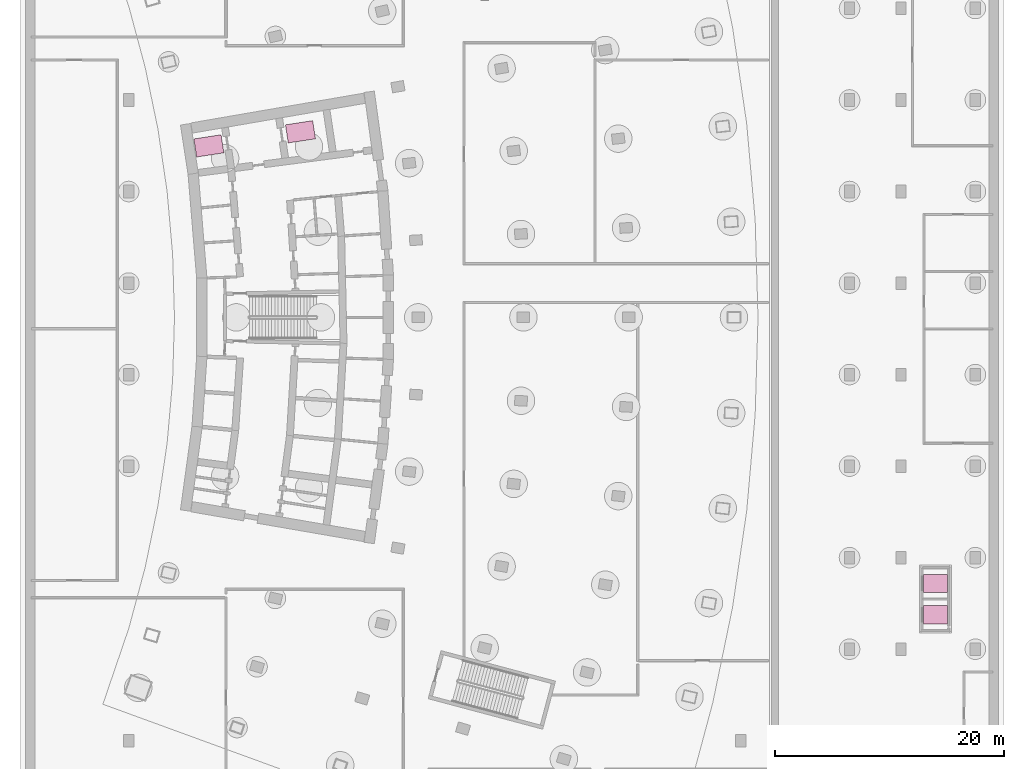
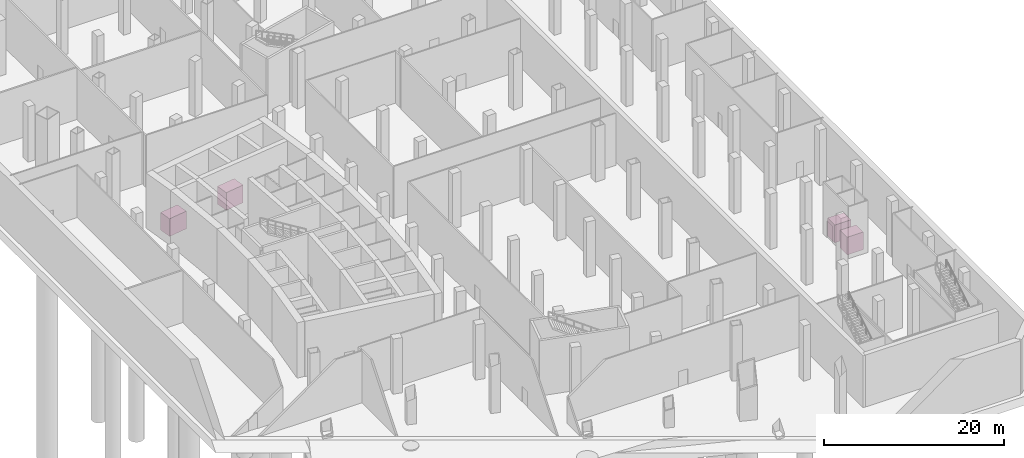
# One storey, part 19 of 19: 4 transport elements.
"""IFC4 building model written with IfcOpenShell, lengths in metres."""

from ifc_helpers import new_model, si_unit, direction, frame, origin, origin_2d, place, context, subcontext, project, spatial, rectangle, extrude, material, type_object, element, save


model = new_model("IFC4")

# Units and contexts
model_context = context("Model", 3, precision=1e-05, world=origin(), true_north=direction((0.0, 1.0)))
body_context = subcontext(model_context, "Body", "Model", "MODEL_VIEW")
ifc_project = project(units=[si_unit("LENGTHUNIT", "METRE"), si_unit("AREAUNIT", "SQUARE_METRE"), si_unit("VOLUMEUNIT", "CUBIC_METRE"), si_unit("PLANEANGLEUNIT", "RADIAN"), si_unit("MASSUNIT", "GRAM", prefix="KILO")], contexts=[model_context])

# Site, building, storey
site_placement = place(None, origin())
site = spatial("IfcSite", under=ifc_project, at=site_placement, CompositionType="ELEMENT")
building_placement = place(site_placement, origin())
building = spatial("IfcBuilding", under=site, at=building_placement, Name="Alderwake Tower", CompositionType="ELEMENT")
storey_placement = place(building_placement, frame((0.0, 0.0, -14.0)))
storey = spatial("IfcBuildingStorey", under=building, at=storey_placement, Name="B2", CompositionType="ELEMENT", Elevation=-14.0)

# Transport elements
ifc_material_1 = material(Name="Stainless steel lift car", Category="steel")
transport_element_type_1 = type_object("IfcTransportElementType", Name="Passenger lift car 1600 x 2100", PredefinedType="ELEVATOR", material=ifc_material_1)
for number, where, z_axis, x_axis, name in (
    (1, (81.0, 35.0, 0.050048828125), (0.0, 0.0, 1.0), (1.0, 0.0, 0.0), "SL1"),
    (2, (81.0, 37.75, 0.050048828125), (0.0, 0.0, 1.0), (1.0, 0.0, 0.0), "SL2"),
):
    element("IfcTransportElement", number, at=place(storey_placement, frame(where, z_axis=z_axis, x_axis=x_axis)), inside=storey, type_object=transport_element_type_1, Name=name, PredefinedType="ELEVATOR", context=body_context, shape_type="SweptSolid", body=[
        extrude(rectangle(XDim=2.10009765625, YDim=1.60009765625, at=origin_2d()), origin(), (0.0, 0.0, 1.0), 2.39990234375),
    ])
ifc_material_2 = material(Name="Stainless steel lift car", Category="steel")
transport_element_type_2 = type_object("IfcTransportElementType", Name="Service and firefighting lift car 1600 x 2400", PredefinedType="ELEVATOR", material=ifc_material_2)
for number, where, z_axis, x_axis, name in (
    (3, (17.504638671875, 75.988525390625, 0.050048828125), (0.0, 0.0, 1.0), (0.98839440999, 0.151909480613, 0.0), "FF1"),
    (4, (25.5107421875, 77.21923828125, 0.050048828125), (0.0, 0.0, 1.0), (0.98839440999, 0.151909480613, 0.0), "FF2"),
):
    element("IfcTransportElement", number, at=place(storey_placement, frame(where, z_axis=z_axis, x_axis=x_axis)), inside=storey, type_object=transport_element_type_2, Name=name, PredefinedType="ELEVATOR", context=body_context, shape_type="SweptSolid", body=[
        extrude(rectangle(XDim=2.39990234375, YDim=1.60009765625, at=origin_2d()), origin(), (0.0, 0.0, 1.0), 2.39990234375),
    ])

save(model, "model.ifc")
